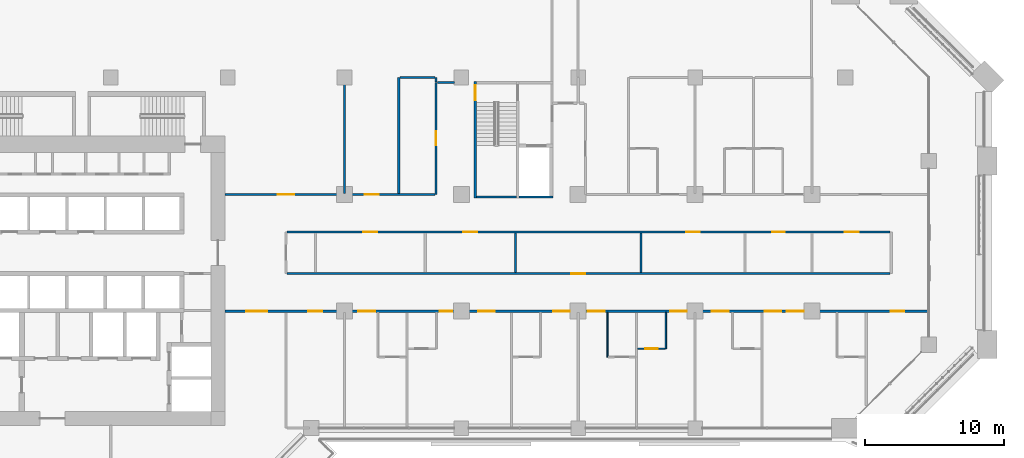
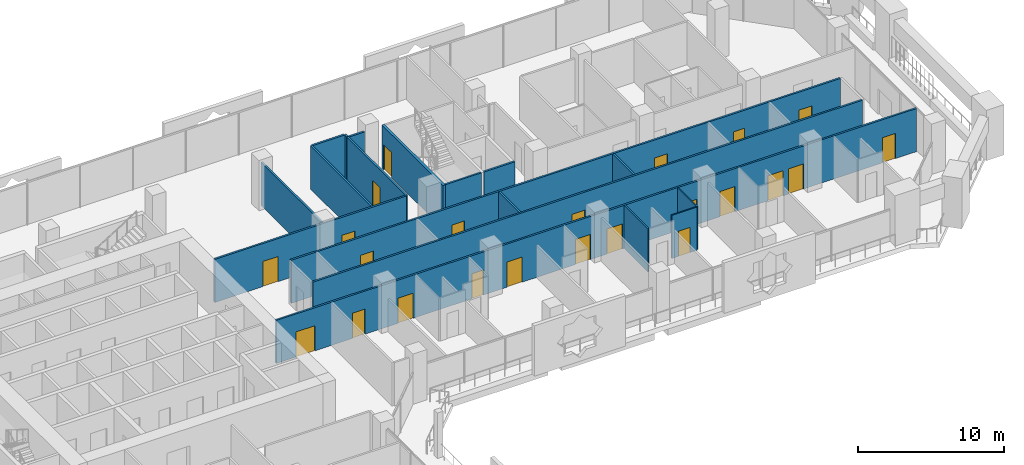
# One storey, part 17 of 25: 23 doors, 18 walls, 23 openings.
"""IFC4 building model written with IfcOpenShell, lengths in metres."""

from ifc_helpers import new_model, si_unit, direction, frame, frame_2d, origin, place, context, subcontext, project, spatial, rectangle, extrude, material, layer, layer_set, type_object, element, fill, save


model = new_model("IFC4")

# Units and contexts
model_context = context("Model", 3, precision=1e-05, world=origin(), true_north=direction((0.0, 1.0)))
body_context = subcontext(model_context, "Body", "Model", "MODEL_VIEW")
ifc_project = project(units=[si_unit("LENGTHUNIT", "METRE"), si_unit("AREAUNIT", "SQUARE_METRE"), si_unit("VOLUMEUNIT", "CUBIC_METRE"), si_unit("PLANEANGLEUNIT", "RADIAN"), si_unit("MASSUNIT", "GRAM", prefix="KILO")], contexts=[model_context])

# Site, building, storey
site_placement = place(None, origin())
site = spatial("IfcSite", under=ifc_project, at=site_placement, CompositionType="ELEMENT")
building_placement = place(site_placement, origin())
building = spatial("IfcBuilding", under=site, at=building_placement, Name="Kawkab Arch Medical Tower", CompositionType="ELEMENT")
storey_placement = place(building_placement, frame((0.0, 0.0, 111.39990234375)))
storey = spatial("IfcBuildingStorey", under=building, at=storey_placement, Name="L25", CompositionType="ELEMENT", Elevation=111.39990234375)

# Wall, opening, door
ifc_material_1 = material(Name="Gypsum board partition on steel studs", Category="steel")
ifc_layer_1 = layer(ifc_material_1, 0.10009765625)
ifc_layer_set_1 = layer_set([ifc_layer_1], Name="Gypsum board partition on steel studs")
wall_type_1 = type_object("IfcWallType", Name="Partition 100", PredefinedType="PARTITIONING", material=ifc_layer_set_1)
wall_1_placement = place(storey_placement, frame((54.675048828125, -19.5, 0.0), z_axis=(0.0, 0.0, 1.0), x_axis=(1.0, 0.0, 0.0)))
wall_1 = element("IfcWall", 1, at=wall_1_placement, inside=storey, type_object=wall_type_1, Name="Partition 100 w011", PredefinedType="PARTITIONING", context=body_context, shape_type="SweptSolid", body=[
    extrude(rectangle(XDim=1.974853515625, YDim=0.10009765625, at=frame_2d((0.9873046875, 0.0))), origin(), (0.0, 0.0, 1.0), 3.60009765625),
])
opening_1_placement = place(wall_1_placement, frame((0.52490234375, 0.0, 0.0)))
opening_1 = element("IfcOpeningElement", 2, at=opening_1_placement, cuts=wall_1, Name="Opening W25-013", PredefinedType="OPENING", context=body_context, shape_type="SweptSolid", body=[
    extrude(rectangle(XDim=0.89990234375, YDim=2.10009765625, at=frame_2d((0.449951171875, 1.050048828125))), frame((0.0, 0.06005859375, 0.0), z_axis=(0.0, -1.0, 0.0), x_axis=(1.0, 0.0, 0.0)), (0.0, 0.0, 1.0), 0.1201171875),
])
ifc_material_2 = material(Name="Timber door leaf", Category="wood")
door_type_1 = type_object("IfcDoorType", Name="Single door 900x2100", OperationType="NOTDEFINED", PredefinedType="DOOR", material=ifc_material_2)
door_1_placement = place(opening_1_placement, origin())
door_1 = element("IfcDoor", 3, at=door_1_placement, inside=storey, type_object=door_type_1, Name="Door W25-013", OperationType="SINGLE_SWING_RIGHT", OverallHeight=2.10009765625, OverallWidth=0.89990234375, PredefinedType="DOOR", context=body_context, shape_type="SweptSolid", body=[
    extrude(rectangle(XDim=0.89990234375, YDim=2.10009765625, at=frame_2d((0.449951171875, 1.050048828125))), frame((0.0, 0.02490234375, 0.0), z_axis=(0.0, -1.0, 0.0), x_axis=(1.0, 0.0, 0.0)), (0.0, 0.0, 1.0), 0.050048828125),
])
fill(opening_1, door_1)

# Walls
wall_2_placement = place(storey_placement, frame((52.5, -20.10009765625, 0.0), z_axis=(0.0, 0.0, 1.0), x_axis=(0.0, 1.0, 0.0)))
element("IfcWall", 4, at=wall_2_placement, inside=storey, type_object=wall_type_1, Name="Partition 100 w021", PredefinedType="PARTITIONING", context=body_context, shape_type="SweptSolid", body=[
    extrude(rectangle(XDim=3.22509765625, YDim=0.10009765625, at=frame_2d((1.612548828125, 0.0))), origin(), (0.0, 0.0, 1.0), 3.60009765625),
])
wall_3_placement = place(storey_placement, frame((56.699951171875, -19.5, 0.0), z_axis=(0.0, 0.0, 1.0), x_axis=(0.0, 1.0, 0.0)))
element("IfcWall", 5, at=wall_3_placement, inside=storey, type_object=wall_type_1, Name="Partition 100 w023", PredefinedType="PARTITIONING", context=body_context, shape_type="SweptSolid", body=[
    extrude(rectangle(XDim=2.625, YDim=0.10009765625, at=frame_2d((1.3125, 0.0))), origin(), (0.0, 0.0, 1.0), 3.60009765625),
])

# Wall, openings, doors
ifc_material_3 = material(Name="Gypsum board partition on steel studs, mineral wool", Category="steel")
ifc_layer_2 = layer(ifc_material_3, 0.14990234375)
ifc_layer_set_2 = layer_set([ifc_layer_2], Name="Gypsum board partition on steel studs, mineral wool")
wall_type_2 = type_object("IfcWallType", Name="Partition 150", PredefinedType="PARTITIONING", material=ifc_layer_set_2)
wall_4_placement = place(storey_placement, frame((25.0, -16.800048828125, 0.0), z_axis=(0.0, 0.0, 1.0), x_axis=(1.0, 0.0, 0.0)))
wall_4 = element("IfcWall", 6, at=wall_4_placement, inside=storey, type_object=wall_type_2, Name="Partition 150 w043", PredefinedType="PARTITIONING", context=body_context, shape_type="SweptSolid", body=[
    extrude(rectangle(XDim=50.52001953125, YDim=0.14990234375, at=frame_2d((25.260009765625, 0.0))), origin(), (0.0, 0.0, 1.0), 3.60009765625),
])
opening_2_placement = place(wall_4_placement, frame((1.550048828125, 0.0, 0.0)))
opening_2 = element("IfcOpeningElement", 7, at=opening_2_placement, cuts=wall_4, Name="Opening W25-001", PredefinedType="OPENING", context=body_context, shape_type="SweptSolid", body=[
    extrude(rectangle(XDim=1.5, YDim=2.10009765625, at=frame_2d((0.75, 1.050048828125))), frame((0.0, 0.0849609375, 0.0), z_axis=(0.0, -1.0, 0.0), x_axis=(1.0, 0.0, 0.0)), (0.0, 0.0, 1.0), 0.169921875),
])
opening_3_placement = place(wall_4_placement, frame((6.0, 0.0, 0.0)))
opening_3 = element("IfcOpeningElement", 8, at=opening_3_placement, cuts=wall_4, Name="Opening W25-031", PredefinedType="OPENING", context=body_context, shape_type="SweptSolid", body=[
    extrude(rectangle(XDim=1.0, YDim=2.10009765625, at=frame_2d((0.5, 1.050048828125))), frame((0.0, 0.0849609375, 0.0), z_axis=(0.0, -1.0, 0.0), x_axis=(1.0, 0.0, 0.0)), (0.0, 0.0, 1.0), 0.169921875),
])
opening_4_placement = place(wall_4_placement, frame((9.60009765625, 0.0, 0.0)))
opening_4 = element("IfcOpeningElement", 9, at=opening_4_placement, cuts=wall_4, Name="Opening W25-043", PredefinedType="OPENING", context=body_context, shape_type="SweptSolid", body=[
    extrude(rectangle(XDim=1.199951171875, YDim=2.10009765625, at=frame_2d((0.60009765625, 1.050048828125))), frame((0.0, 0.0849609375, 0.0), z_axis=(0.0, -1.0, 0.0), x_axis=(1.0, 0.0, 0.0)), (0.0, 0.0, 1.0), 0.169921875),
])
opening_5_placement = place(wall_4_placement, frame((18.199951171875, 0.0, 0.0)))
opening_5 = element("IfcOpeningElement", 10, at=opening_5_placement, cuts=wall_4, Name="Opening W25-044", PredefinedType="OPENING", context=body_context, shape_type="SweptSolid", body=[
    extrude(rectangle(XDim=1.199951171875, YDim=2.10009765625, at=frame_2d((0.60009765625, 1.050048828125))), frame((0.0, 0.0849609375, 0.0), z_axis=(0.0, -1.0, 0.0), x_axis=(1.0, 0.0, 0.0)), (0.0, 0.0, 1.0), 0.169921875),
])
opening_6_placement = place(wall_4_placement, frame((15.449951171875, 0.0, 0.0)))
opening_6 = element("IfcOpeningElement", 11, at=opening_6_placement, cuts=wall_4, Name="Opening W25-021", PredefinedType="OPENING", context=body_context, shape_type="SweptSolid", body=[
    extrude(rectangle(XDim=0.89990234375, YDim=2.10009765625, at=frame_2d((0.449951171875, 1.050048828125))), frame((0.0, 0.0849609375, 0.0), z_axis=(0.0, -1.0, 0.0), x_axis=(1.0, 0.0, 0.0)), (0.0, 0.0, 1.0), 0.169921875),
])
opening_7_placement = place(wall_4_placement, frame((23.60009765625, 0.0, 0.0)))
opening_7 = element("IfcOpeningElement", 12, at=opening_7_placement, cuts=wall_4, Name="Opening W25-045", PredefinedType="OPENING", context=body_context, shape_type="SweptSolid", body=[
    extrude(rectangle(XDim=1.199951171875, YDim=2.10009765625, at=frame_2d((0.60009765625, 1.050048828125))), frame((0.0, 0.0849609375, 0.0), z_axis=(0.0, -1.0, 0.0), x_axis=(1.0, 0.0, 0.0)), (0.0, 0.0, 1.0), 0.169921875),
])
opening_8_placement = place(wall_4_placement, frame((26.10009765625, 0.0, 0.0)))
opening_8 = element("IfcOpeningElement", 13, at=opening_8_placement, cuts=wall_4, Name="Opening W25-046", PredefinedType="OPENING", context=body_context, shape_type="SweptSolid", body=[
    extrude(rectangle(XDim=1.199951171875, YDim=2.10009765625, at=frame_2d((0.60009765625, 1.050048828125))), frame((0.0, 0.0849609375, 0.0), z_axis=(0.0, -1.0, 0.0), x_axis=(1.0, 0.0, 0.0)), (0.0, 0.0, 1.0), 0.169921875),
])
opening_9_placement = place(wall_4_placement, frame((32.0, 0.0, 0.0)))
opening_9 = element("IfcOpeningElement", 14, at=opening_9_placement, cuts=wall_4, Name="Opening W25-047", PredefinedType="OPENING", context=body_context, shape_type="SweptSolid", body=[
    extrude(rectangle(XDim=1.199951171875, YDim=2.10009765625, at=frame_2d((0.60009765625, 1.050048828125))), frame((0.0, 0.0849609375, 0.0), z_axis=(0.0, -1.0, 0.0), x_axis=(1.0, 0.0, 0.0)), (0.0, 0.0, 1.0), 0.169921875),
])
opening_10_placement = place(wall_4_placement, frame((35.0, 0.0, 0.0)))
opening_10 = element("IfcOpeningElement", 15, at=opening_10_placement, cuts=wall_4, Name="Opening W25-048", PredefinedType="OPENING", context=body_context, shape_type="SweptSolid", body=[
    extrude(rectangle(XDim=1.199951171875, YDim=2.10009765625, at=frame_2d((0.60009765625, 1.050048828125))), frame((0.0, 0.0849609375, 0.0), z_axis=(0.0, -1.0, 0.0), x_axis=(1.0, 0.0, 0.0)), (0.0, 0.0, 1.0), 0.169921875),
])
opening_11_placement = place(wall_4_placement, frame((40.39990234375, 0.0, 0.0)))
opening_11 = element("IfcOpeningElement", 16, at=opening_11_placement, cuts=wall_4, Name="Opening W25-049", PredefinedType="OPENING", context=body_context, shape_type="SweptSolid", body=[
    extrude(rectangle(XDim=1.199951171875, YDim=2.10009765625, at=frame_2d((0.60009765625, 1.050048828125))), frame((0.0, 0.0849609375, 0.0), z_axis=(0.0, -1.0, 0.0), x_axis=(1.0, 0.0, 0.0)), (0.0, 0.0, 1.0), 0.169921875),
])
opening_12_placement = place(wall_4_placement, frame((38.800048828125, 0.0, 0.0)))
opening_12 = element("IfcOpeningElement", 17, at=opening_12_placement, cuts=wall_4, Name="Opening W25-050", PredefinedType="OPENING", context=body_context, shape_type="SweptSolid", body=[
    extrude(rectangle(XDim=1.199951171875, YDim=2.10009765625, at=frame_2d((0.60009765625, 1.050048828125))), frame((0.0, 0.0849609375, 0.0), z_axis=(0.0, -1.0, 0.0), x_axis=(1.0, 0.0, 0.0)), (0.0, 0.0, 1.0), 0.169921875),
])
opening_13_placement = place(wall_4_placement, frame((47.85009765625, 0.0, 0.0)))
opening_13 = element("IfcOpeningElement", 18, at=opening_13_placement, cuts=wall_4, Name="Opening W25-032", PredefinedType="OPENING", context=body_context, shape_type="SweptSolid", body=[
    extrude(rectangle(XDim=1.0, YDim=2.10009765625, at=frame_2d((0.5, 1.050048828125))), frame((0.0, 0.0849609375, 0.0), z_axis=(0.0, -1.0, 0.0), x_axis=(1.0, 0.0, 0.0)), (0.0, 0.0, 1.0), 0.169921875),
])
ifc_material_4 = material(Name="Hollow metal door leaf")
door_type_2 = type_object("IfcDoorType", Name="Double door 1500x2100 FD30S", OperationType="NOTDEFINED", PredefinedType="DOOR", material=ifc_material_4)
door_2_placement = place(opening_2_placement, origin())
door_2 = element("IfcDoor", 19, at=door_2_placement, inside=storey, type_object=door_type_2, Name="Door W25-001", OperationType="DOUBLE_DOOR_SINGLE_SWING", OverallHeight=2.10009765625, OverallWidth=1.5, PredefinedType="DOOR", context=body_context, shape_type="SweptSolid", body=[
    extrude(rectangle(XDim=1.5, YDim=2.10009765625, at=frame_2d((0.75, 1.050048828125))), frame((0.0, 0.02490234375, 0.0), z_axis=(0.0, -1.0, 0.0), x_axis=(1.0, 0.0, 0.0)), (0.0, 0.0, 1.0), 0.050048828125),
])
fill(opening_2, door_2)
ifc_material_5 = material(Name="Hollow metal door leaf")
door_type_3 = type_object("IfcDoorType", Name="Single door 1000x2100 FD30S", OperationType="NOTDEFINED", PredefinedType="DOOR", material=ifc_material_5)
door_3_placement = place(opening_3_placement, origin())
door_3 = element("IfcDoor", 20, at=door_3_placement, inside=storey, type_object=door_type_3, Name="Door W25-031", OperationType="SINGLE_SWING_RIGHT", OverallHeight=2.10009765625, OverallWidth=1.0, PredefinedType="DOOR", context=body_context, shape_type="SweptSolid", body=[
    extrude(rectangle(XDim=1.0, YDim=2.10009765625, at=frame_2d((0.5, 1.050048828125))), frame((0.0, 0.02490234375, 0.0), z_axis=(0.0, -1.0, 0.0), x_axis=(1.0, 0.0, 0.0)), (0.0, 0.0, 1.0), 0.050048828125),
])
fill(opening_3, door_3)
door_4_placement = place(opening_13_placement, origin())
door_4 = element("IfcDoor", 21, at=door_4_placement, inside=storey, type_object=door_type_3, Name="Door W25-032", OperationType="SINGLE_SWING_LEFT", OverallHeight=2.10009765625, OverallWidth=1.0, PredefinedType="DOOR", context=body_context, shape_type="SweptSolid", body=[
    extrude(rectangle(XDim=1.0, YDim=2.10009765625, at=frame_2d((0.5, 1.050048828125))), frame((0.0, 0.02490234375, 0.0), z_axis=(0.0, -1.0, 0.0), x_axis=(1.0, 0.0, 0.0)), (0.0, 0.0, 1.0), 0.050048828125),
])
fill(opening_13, door_4)
ifc_material_6 = material(Name="Hollow metal door leaf")
door_type_4 = type_object("IfcDoorType", Name="Single door 1200x2100 FD30S", OperationType="NOTDEFINED", PredefinedType="DOOR", material=ifc_material_6)
door_5_placement = place(opening_4_placement, origin())
door_5 = element("IfcDoor", 22, at=door_5_placement, inside=storey, type_object=door_type_4, Name="Door W25-043", OperationType="SINGLE_SWING_RIGHT", OverallHeight=2.10009765625, OverallWidth=1.199951171875, PredefinedType="DOOR", context=body_context, shape_type="SweptSolid", body=[
    extrude(rectangle(XDim=1.199951171875, YDim=2.10009765625, at=frame_2d((0.60009765625, 1.050048828125))), frame((0.0, 0.02490234375, 0.0), z_axis=(0.0, -1.0, 0.0), x_axis=(1.0, 0.0, 0.0)), (0.0, 0.0, 1.0), 0.050048828125),
])
fill(opening_4, door_5)
door_6_placement = place(opening_5_placement, origin())
door_6 = element("IfcDoor", 23, at=door_6_placement, inside=storey, type_object=door_type_4, Name="Door W25-044", OperationType="SINGLE_SWING_RIGHT", OverallHeight=2.10009765625, OverallWidth=1.199951171875, PredefinedType="DOOR", context=body_context, shape_type="SweptSolid", body=[
    extrude(rectangle(XDim=1.199951171875, YDim=2.10009765625, at=frame_2d((0.60009765625, 1.050048828125))), frame((0.0, 0.02490234375, 0.0), z_axis=(0.0, -1.0, 0.0), x_axis=(1.0, 0.0, 0.0)), (0.0, 0.0, 1.0), 0.050048828125),
])
fill(opening_5, door_6)
door_7_placement = place(opening_7_placement, origin())
door_7 = element("IfcDoor", 24, at=door_7_placement, inside=storey, type_object=door_type_4, Name="Door W25-045", OperationType="SINGLE_SWING_RIGHT", OverallHeight=2.10009765625, OverallWidth=1.199951171875, PredefinedType="DOOR", context=body_context, shape_type="SweptSolid", body=[
    extrude(rectangle(XDim=1.199951171875, YDim=2.10009765625, at=frame_2d((0.60009765625, 1.050048828125))), frame((0.0, 0.02490234375, 0.0), z_axis=(0.0, -1.0, 0.0), x_axis=(1.0, 0.0, 0.0)), (0.0, 0.0, 1.0), 0.050048828125),
])
fill(opening_7, door_7)
door_8_placement = place(opening_8_placement, origin())
door_8 = element("IfcDoor", 25, at=door_8_placement, inside=storey, type_object=door_type_4, Name="Door W25-046", OperationType="SINGLE_SWING_LEFT", OverallHeight=2.10009765625, OverallWidth=1.199951171875, PredefinedType="DOOR", context=body_context, shape_type="SweptSolid", body=[
    extrude(rectangle(XDim=1.199951171875, YDim=2.10009765625, at=frame_2d((0.60009765625, 1.050048828125))), frame((0.0, 0.02490234375, 0.0), z_axis=(0.0, -1.0, 0.0), x_axis=(1.0, 0.0, 0.0)), (0.0, 0.0, 1.0), 0.050048828125),
])
fill(opening_8, door_8)
door_9_placement = place(opening_9_placement, origin())
door_9 = element("IfcDoor", 26, at=door_9_placement, inside=storey, type_object=door_type_4, Name="Door W25-047", OperationType="SINGLE_SWING_LEFT", OverallHeight=2.10009765625, OverallWidth=1.199951171875, PredefinedType="DOOR", context=body_context, shape_type="SweptSolid", body=[
    extrude(rectangle(XDim=1.199951171875, YDim=2.10009765625, at=frame_2d((0.60009765625, 1.050048828125))), frame((0.0, 0.02490234375, 0.0), z_axis=(0.0, -1.0, 0.0), x_axis=(1.0, 0.0, 0.0)), (0.0, 0.0, 1.0), 0.050048828125),
])
fill(opening_9, door_9)
door_10_placement = place(opening_10_placement, origin())
door_10 = element("IfcDoor", 27, at=door_10_placement, inside=storey, type_object=door_type_4, Name="Door W25-048", OperationType="SINGLE_SWING_LEFT", OverallHeight=2.10009765625, OverallWidth=1.199951171875, PredefinedType="DOOR", context=body_context, shape_type="SweptSolid", body=[
    extrude(rectangle(XDim=1.199951171875, YDim=2.10009765625, at=frame_2d((0.60009765625, 1.050048828125))), frame((0.0, 0.02490234375, 0.0), z_axis=(0.0, -1.0, 0.0), x_axis=(1.0, 0.0, 0.0)), (0.0, 0.0, 1.0), 0.050048828125),
])
fill(opening_10, door_10)
door_11_placement = place(opening_11_placement, origin())
door_11 = element("IfcDoor", 28, at=door_11_placement, inside=storey, type_object=door_type_4, Name="Door W25-049", OperationType="SINGLE_SWING_LEFT", OverallHeight=2.10009765625, OverallWidth=1.199951171875, PredefinedType="DOOR", context=body_context, shape_type="SweptSolid", body=[
    extrude(rectangle(XDim=1.199951171875, YDim=2.10009765625, at=frame_2d((0.60009765625, 1.050048828125))), frame((0.0, 0.02490234375, 0.0), z_axis=(0.0, -1.0, 0.0), x_axis=(1.0, 0.0, 0.0)), (0.0, 0.0, 1.0), 0.050048828125),
])
fill(opening_11, door_11)
door_12_placement = place(opening_12_placement, origin())
door_12 = element("IfcDoor", 29, at=door_12_placement, inside=storey, type_object=door_type_4, Name="Door W25-050", OperationType="SINGLE_SWING_LEFT", OverallHeight=2.10009765625, OverallWidth=1.199951171875, PredefinedType="DOOR", context=body_context, shape_type="SweptSolid", body=[
    extrude(rectangle(XDim=1.199951171875, YDim=2.10009765625, at=frame_2d((0.60009765625, 1.050048828125))), frame((0.0, 0.02490234375, 0.0), z_axis=(0.0, -1.0, 0.0), x_axis=(1.0, 0.0, 0.0)), (0.0, 0.0, 1.0), 0.050048828125),
])
fill(opening_12, door_12)
ifc_material_7 = material(Name="Hollow metal door leaf")
door_type_5 = type_object("IfcDoorType", Name="Single door 900x2100 FD30S", OperationType="NOTDEFINED", PredefinedType="DOOR", material=ifc_material_7)
door_13_placement = place(opening_6_placement, origin())
door_13 = element("IfcDoor", 30, at=door_13_placement, inside=storey, type_object=door_type_5, Name="Door W25-021", OperationType="SINGLE_SWING_RIGHT", OverallHeight=2.10009765625, OverallWidth=0.89990234375, PredefinedType="DOOR", context=body_context, shape_type="SweptSolid", body=[
    extrude(rectangle(XDim=0.89990234375, YDim=2.10009765625, at=frame_2d((0.449951171875, 1.050048828125))), frame((0.0, 0.02490234375, 0.0), z_axis=(0.0, -1.0, 0.0), x_axis=(1.0, 0.0, 0.0)), (0.0, 0.0, 1.0), 0.050048828125),
])
fill(opening_6, door_13)

# Wall, opening, door
wall_5_placement = place(storey_placement, frame((29.47509765625, -14.10009765625, 0.0), z_axis=(0.0, 0.0, 1.0), x_axis=(1.0, 0.0, 0.0)))
wall_5 = element("IfcWall", 31, at=wall_5_placement, inside=storey, type_object=wall_type_2, Name="Partition 150 w044", PredefinedType="PARTITIONING", context=body_context, shape_type="SweptSolid", body=[
    extrude(rectangle(XDim=43.349853515625, YDim=0.14990234375, at=frame_2d((21.6748046875, 0.0))), origin(), (0.0, 0.0, 1.0), 3.60009765625),
])
opening_14_placement = place(wall_5_placement, frame((20.425048828125, 0.0, 0.0)))
opening_14 = element("IfcOpeningElement", 32, at=opening_14_placement, cuts=wall_5, Name="Opening W25-028", PredefinedType="OPENING", context=body_context, shape_type="SweptSolid", body=[
    extrude(rectangle(XDim=1.0, YDim=2.10009765625, at=frame_2d((0.5, 1.050048828125))), frame((0.0, 0.0849609375, 0.0), z_axis=(0.0, -1.0, 0.0), x_axis=(1.0, 0.0, 0.0)), (0.0, 0.0, 1.0), 0.169921875),
])
door_14_placement = place(opening_14_placement, origin())
door_14 = element("IfcDoor", 33, at=door_14_placement, inside=storey, type_object=door_type_3, Name="Door W25-028", OperationType="SINGLE_SWING_LEFT", OverallHeight=2.10009765625, OverallWidth=1.0, PredefinedType="DOOR", context=body_context, shape_type="SweptSolid", body=[
    extrude(rectangle(XDim=1.0, YDim=2.10009765625, at=frame_2d((0.5, 1.050048828125))), frame((0.0, 0.02490234375, 0.0), z_axis=(0.0, -1.0, 0.0), x_axis=(1.0, 0.0, 0.0)), (0.0, 0.0, 1.0), 0.050048828125),
])
fill(opening_14, door_14)

# Wall, openings, doors
wall_6_placement = place(storey_placement, frame((29.47509765625, -11.10009765625, 0.0), z_axis=(0.0, 0.0, 1.0), x_axis=(1.0, 0.0, 0.0)))
wall_6 = element("IfcWall", 34, at=wall_6_placement, inside=storey, type_object=wall_type_2, Name="Partition 150 w045", PredefinedType="PARTITIONING", context=body_context, shape_type="SweptSolid", body=[
    extrude(rectangle(XDim=43.349853515625, YDim=0.14990234375, at=frame_2d((21.6748046875, 0.0))), origin(), (0.0, 0.0, 1.0), 3.60009765625),
])
opening_15_placement = place(wall_6_placement, frame((28.675048828125, 0.0, 0.0)))
opening_15 = element("IfcOpeningElement", 35, at=opening_15_placement, cuts=wall_6, Name="Opening W25-029", PredefinedType="OPENING", context=body_context, shape_type="SweptSolid", body=[
    extrude(rectangle(XDim=1.0, YDim=2.10009765625, at=frame_2d((0.5, 1.050048828125))), frame((0.0, 0.0849609375, 0.0), z_axis=(0.0, -1.0, 0.0), x_axis=(1.0, 0.0, 0.0)), (0.0, 0.0, 1.0), 0.169921875),
])
opening_16_placement = place(wall_6_placement, frame((34.875, 0.0, 0.0)))
opening_16 = element("IfcOpeningElement", 36, at=opening_16_placement, cuts=wall_6, Name="Opening W25-008", PredefinedType="OPENING", context=body_context, shape_type="SweptSolid", body=[
    extrude(rectangle(XDim=0.89990234375, YDim=2.10009765625, at=frame_2d((0.449951171875, 1.050048828125))), frame((0.0, 0.0849609375, 0.0), z_axis=(0.0, -1.0, 0.0), x_axis=(1.0, 0.0, 0.0)), (0.0, 0.0, 1.0), 0.169921875),
])
opening_17_placement = place(wall_6_placement, frame((40.074951171875, 0.0, 0.0)))
opening_17 = element("IfcOpeningElement", 37, at=opening_17_placement, cuts=wall_6, Name="Opening W25-030", PredefinedType="OPENING", context=body_context, shape_type="SweptSolid", body=[
    extrude(rectangle(XDim=1.0, YDim=2.10009765625, at=frame_2d((0.5, 1.050048828125))), frame((0.0, 0.0849609375, 0.0), z_axis=(0.0, -1.0, 0.0), x_axis=(1.0, 0.0, 0.0)), (0.0, 0.0, 1.0), 0.169921875),
])
opening_18_placement = place(wall_6_placement, frame((5.47509765625, 0.0, 0.0)))
opening_18 = element("IfcOpeningElement", 38, at=opening_18_placement, cuts=wall_6, Name="Opening W25-037", PredefinedType="OPENING", context=body_context, shape_type="SweptSolid", body=[
    extrude(rectangle(XDim=1.0, YDim=2.10009765625, at=frame_2d((0.5, 1.050048828125))), frame((0.0, 0.0849609375, 0.0), z_axis=(0.0, -1.0, 0.0), x_axis=(1.0, 0.0, 0.0)), (0.0, 0.0, 1.0), 0.169921875),
])
opening_19_placement = place(wall_6_placement, frame((12.675048828125, 0.0, 0.0)))
opening_19 = element("IfcOpeningElement", 39, at=opening_19_placement, cuts=wall_6, Name="Opening W25-038", PredefinedType="OPENING", context=body_context, shape_type="SweptSolid", body=[
    extrude(rectangle(XDim=1.0, YDim=2.10009765625, at=frame_2d((0.5, 1.050048828125))), frame((0.0, 0.0849609375, 0.0), z_axis=(0.0, -1.0, 0.0), x_axis=(1.0, 0.0, 0.0)), (0.0, 0.0, 1.0), 0.169921875),
])
door_15_placement = place(opening_15_placement, origin())
door_15 = element("IfcDoor", 40, at=door_15_placement, inside=storey, type_object=door_type_3, Name="Door W25-029", OperationType="SINGLE_SWING_LEFT", OverallHeight=2.10009765625, OverallWidth=1.0, PredefinedType="DOOR", context=body_context, shape_type="SweptSolid", body=[
    extrude(rectangle(XDim=1.0, YDim=2.10009765625, at=frame_2d((0.5, 1.050048828125))), frame((0.0, 0.02490234375, 0.0), z_axis=(0.0, -1.0, 0.0), x_axis=(1.0, 0.0, 0.0)), (0.0, 0.0, 1.0), 0.050048828125),
])
fill(opening_15, door_15)
door_16_placement = place(opening_17_placement, origin())
door_16 = element("IfcDoor", 41, at=door_16_placement, inside=storey, type_object=door_type_3, Name="Door W25-030", OperationType="SINGLE_SWING_LEFT", OverallHeight=2.10009765625, OverallWidth=1.0, PredefinedType="DOOR", context=body_context, shape_type="SweptSolid", body=[
    extrude(rectangle(XDim=1.0, YDim=2.10009765625, at=frame_2d((0.5, 1.050048828125))), frame((0.0, 0.02490234375, 0.0), z_axis=(0.0, -1.0, 0.0), x_axis=(1.0, 0.0, 0.0)), (0.0, 0.0, 1.0), 0.050048828125),
])
fill(opening_17, door_16)
door_17_placement = place(opening_18_placement, origin())
door_17 = element("IfcDoor", 42, at=door_17_placement, inside=storey, type_object=door_type_3, Name="Door W25-037", OperationType="SINGLE_SWING_RIGHT", OverallHeight=2.10009765625, OverallWidth=1.0, PredefinedType="DOOR", context=body_context, shape_type="SweptSolid", body=[
    extrude(rectangle(XDim=1.0, YDim=2.10009765625, at=frame_2d((0.5, 1.050048828125))), frame((0.0, 0.02490234375, 0.0), z_axis=(0.0, -1.0, 0.0), x_axis=(1.0, 0.0, 0.0)), (0.0, 0.0, 1.0), 0.050048828125),
])
fill(opening_18, door_17)
door_18_placement = place(opening_19_placement, origin())
door_18 = element("IfcDoor", 43, at=door_18_placement, inside=storey, type_object=door_type_3, Name="Door W25-038", OperationType="SINGLE_SWING_RIGHT", OverallHeight=2.10009765625, OverallWidth=1.0, PredefinedType="DOOR", context=body_context, shape_type="SweptSolid", body=[
    extrude(rectangle(XDim=1.0, YDim=2.10009765625, at=frame_2d((0.5, 1.050048828125))), frame((0.0, 0.02490234375, 0.0), z_axis=(0.0, -1.0, 0.0), x_axis=(1.0, 0.0, 0.0)), (0.0, 0.0, 1.0), 0.050048828125),
])
fill(opening_19, door_18)
door_19_placement = place(opening_16_placement, origin())
door_19 = element("IfcDoor", 44, at=door_19_placement, inside=storey, type_object=door_type_1, Name="Door W25-008", OperationType="SINGLE_SWING_LEFT", OverallHeight=2.10009765625, OverallWidth=0.89990234375, PredefinedType="DOOR", context=body_context, shape_type="SweptSolid", body=[
    extrude(rectangle(XDim=0.89990234375, YDim=2.10009765625, at=frame_2d((0.449951171875, 1.050048828125))), frame((0.0, 0.02490234375, 0.0), z_axis=(0.0, -1.0, 0.0), x_axis=(1.0, 0.0, 0.0)), (0.0, 0.0, 1.0), 0.050048828125),
])
fill(opening_16, door_19)

wall_7_placement = place(storey_placement, frame((25.0, -8.39990234375, 0.0), z_axis=(0.0, 0.0, 1.0), x_axis=(1.0, 0.0, 0.0)))
wall_7 = element("IfcWall", 45, at=wall_7_placement, inside=storey, type_object=wall_type_2, Name="Partition 150 w046", PredefinedType="PARTITIONING", context=body_context, shape_type="SweptSolid", body=[
    extrude(rectangle(XDim=15.10693359375, YDim=0.14990234375, at=frame_2d((7.553466796875, 0.0))), origin(), (0.0, 0.0, 1.0), 3.60009765625),
])
opening_20_placement = place(wall_7_placement, frame((3.800048828125, 0.0, 0.0)))
opening_20 = element("IfcOpeningElement", 46, at=opening_20_placement, cuts=wall_7, Name="Opening W25-039", PredefinedType="OPENING", context=body_context, shape_type="SweptSolid", body=[
    extrude(rectangle(XDim=1.199951171875, YDim=2.10009765625, at=frame_2d((0.60009765625, 1.050048828125))), frame((0.0, 0.0849609375, 0.0), z_axis=(0.0, -1.0, 0.0), x_axis=(1.0, 0.0, 0.0)), (0.0, 0.0, 1.0), 0.169921875),
])
opening_21_placement = place(wall_7_placement, frame((10.050048828125, 0.0, 0.0)))
opening_21 = element("IfcOpeningElement", 47, at=opening_21_placement, cuts=wall_7, Name="Opening W25-024", PredefinedType="OPENING", context=body_context, shape_type="SweptSolid", body=[
    extrude(rectangle(XDim=1.0, YDim=2.10009765625, at=frame_2d((0.5, 1.050048828125))), frame((0.0, 0.0849609375, 0.0), z_axis=(0.0, -1.0, 0.0), x_axis=(1.0, 0.0, 0.0)), (0.0, 0.0, 1.0), 0.169921875),
])
door_20_placement = place(opening_21_placement, origin())
door_20 = element("IfcDoor", 48, at=door_20_placement, inside=storey, type_object=door_type_3, Name="Door W25-024", OperationType="SINGLE_SWING_RIGHT", OverallHeight=2.10009765625, OverallWidth=1.0, PredefinedType="DOOR", context=body_context, shape_type="SweptSolid", body=[
    extrude(rectangle(XDim=1.0, YDim=2.10009765625, at=frame_2d((0.5, 1.050048828125))), frame((0.0, 0.02490234375, 0.0), z_axis=(0.0, -1.0, 0.0), x_axis=(1.0, 0.0, 0.0)), (0.0, 0.0, 1.0), 0.050048828125),
])
fill(opening_21, door_20)
door_21_placement = place(opening_20_placement, origin())
door_21 = element("IfcDoor", 49, at=door_21_placement, inside=storey, type_object=door_type_4, Name="Door W25-039", OperationType="SINGLE_SWING_LEFT", OverallHeight=2.10009765625, OverallWidth=1.199951171875, PredefinedType="DOOR", context=body_context, shape_type="SweptSolid", body=[
    extrude(rectangle(XDim=1.199951171875, YDim=2.10009765625, at=frame_2d((0.60009765625, 1.050048828125))), frame((0.0, 0.02490234375, 0.0), z_axis=(0.0, -1.0, 0.0), x_axis=(1.0, 0.0, 0.0)), (0.0, 0.0, 1.0), 0.050048828125),
])
fill(opening_20, door_21)

# Walls
wall_8_placement = place(storey_placement, frame((40.277099609375, -0.35009765625, 0.0), z_axis=(0.0, 0.0, 1.0), x_axis=(1.0, 0.0, 0.0)))
element("IfcWall", 50, at=wall_8_placement, inside=storey, type_object=wall_type_2, Name="Partition 150 w050", PredefinedType="PARTITIONING", context=body_context, shape_type="SweptSolid", body=[
    extrude(rectangle(XDim=1.2109375, YDim=0.14990234375, at=frame_2d((0.60546875, 0.0))), origin(), (0.0, 0.0, 1.0), 3.60009765625),
])
wall_9_placement = place(storey_placement, frame((37.577880859375, 0.0, 0.0), z_axis=(0.0, 0.0, 1.0), x_axis=(1.0, 0.0, 0.0)))
element("IfcWall", 51, at=wall_9_placement, inside=storey, type_object=wall_type_2, Name="Partition 150 w051", PredefinedType="PARTITIONING", context=body_context, shape_type="SweptSolid", body=[
    extrude(rectangle(XDim=2.527099609375, YDim=0.14990234375, at=frame_2d((1.263671875, 0.0))), origin(), (0.0, 0.0, 1.0), 3.60009765625),
])
for number, where, z_axis, x_axis, name in (
    (52, (33.60009765625, -8.324951171875, 0.0), (0.0, 0.0, 1.0), (0.0, 1.0, 0.0), "Partition 150 w066"),
    (53, (37.5, -8.324951171875, 0.0), (0.0, 0.0, 1.0), (0.0, 1.0, 0.0), "Partition 150 w067"),
):
    element("IfcWall", number, at=place(storey_placement, frame(where, z_axis=z_axis, x_axis=x_axis)), inside=storey, type_object=wall_type_2, Name=name, PredefinedType="PARTITIONING", context=body_context, shape_type="SweptSolid", body=[
        extrude(rectangle(XDim=8.322021484375, YDim=0.14990234375, at=frame_2d((4.1611328125, 0.0))), origin(), (0.0, 0.0, 1.0), 3.60009765625),
    ])

# Wall, opening, door
wall_10_placement = place(storey_placement, frame((40.181884765625, -8.39990234375, 0.0), z_axis=(0.0, 0.0, 1.0), x_axis=(0.0, 1.0, 0.0)))
wall_10 = element("IfcWall", 54, at=wall_10_placement, inside=storey, type_object=wall_type_2, Name="Partition 150 w070", PredefinedType="PARTITIONING", context=body_context, shape_type="SweptSolid", body=[
    extrude(rectangle(XDim=8.0498046875, YDim=0.14990234375, at=frame_2d((4.02490234375, 0.0))), origin(), (0.0, 0.0, 1.0), 3.60009765625),
])
opening_22_placement = place(wall_10_placement, frame((3.52490234375, 0.0, 0.0)))
opening_22 = element("IfcOpeningElement", 55, at=opening_22_placement, cuts=wall_10, Name="Opening W25-025", PredefinedType="OPENING", context=body_context, shape_type="SweptSolid", body=[
    extrude(rectangle(XDim=1.0, YDim=2.10009765625, at=frame_2d((0.5, 1.050048828125))), frame((0.0, 0.0849609375, 0.0), z_axis=(0.0, -1.0, 0.0), x_axis=(1.0, 0.0, 0.0)), (0.0, 0.0, 1.0), 0.169921875),
])
door_22_placement = place(opening_22_placement, origin())
door_22 = element("IfcDoor", 56, at=door_22_placement, inside=storey, type_object=door_type_3, Name="Door W25-025", OperationType="SINGLE_SWING_RIGHT", OverallHeight=2.10009765625, OverallWidth=1.0, PredefinedType="DOOR", context=body_context, shape_type="SweptSolid", body=[
    extrude(rectangle(XDim=1.0, YDim=2.10009765625, at=frame_2d((0.5, 1.050048828125))), frame((0.0, 0.02490234375, 0.0), z_axis=(0.0, -1.0, 0.0), x_axis=(1.0, 0.0, 0.0)), (0.0, 0.0, 1.0), 0.050048828125),
])
fill(opening_22, door_22)

# Walls
wall_11_placement = place(storey_placement, frame((40.181884765625, -0.330078125, 0.0), z_axis=(0.0, 0.0, 1.0), x_axis=(0.0, 1.0, 0.0)))
element("IfcWall", 57, at=wall_11_placement, inside=storey, type_object=wall_type_2, Name="Partition 150 w071", PredefinedType="PARTITIONING", context=body_context, shape_type="SweptSolid", body=[
    extrude(rectangle(XDim=0.328125, YDim=0.14990234375, at=frame_2d((0.1640625, 0.0))), origin(), (0.0, 0.0, 1.0), 3.60009765625),
])
for number, where, z_axis, x_axis, name in (
    (58, (45.89990234375, -14.02490234375, 0.0), (0.0, 0.0, 1.0), (0.0, 1.0, 0.0), "Partition 150 w073"),
    (59, (54.89990234375, -14.02490234375, 0.0), (0.0, 0.0, 1.0), (0.0, 1.0, 0.0), "Partition 150 w081"),
):
    element("IfcWall", number, at=place(storey_placement, frame(where, z_axis=z_axis, x_axis=x_axis)), inside=storey, type_object=wall_type_2, Name=name, PredefinedType="PARTITIONING", context=body_context, shape_type="SweptSolid", body=[
        extrude(rectangle(XDim=2.849853515625, YDim=0.14990234375, at=frame_2d((1.4248046875, 0.0))), origin(), (0.0, 0.0, 1.0), 3.60009765625),
    ])
ifc_material_8 = material(Name="Concrete C50/60", Category="concrete")
ifc_layer_3 = layer(ifc_material_8, 0.14990234375)
ifc_layer_set_3 = layer_set([ifc_layer_3], Name="Concrete C50/60")
wall_type_3 = type_object("IfcWallType", Name="Stair enclosure wall 150 C50/60", PredefinedType="SHEAR", material=ifc_layer_set_3)
wall_12_placement = place(storey_placement, frame((43.10009765625, -8.574951171875, 0.0), z_axis=(0.0, 0.0, 1.0), x_axis=(1.0, 0.0, 0.0)))
element("IfcWall", 60, at=wall_12_placement, inside=storey, type_object=wall_type_3, Name="L25 stair enclosure wall", PredefinedType="SHEAR", context=body_context, shape_type="SweptSolid", body=[
    extrude(rectangle(XDim=2.849853515625, YDim=0.14990234375, at=frame_2d((1.4248046875, 0.0))), origin(), (0.0, 0.0, 1.0), 3.60009765625),
])
wall_13_placement = place(storey_placement, frame((46.14990234375, -8.574951171875, 0.0), z_axis=(0.0, 0.0, 1.0), x_axis=(1.0, 0.0, 0.0)))
element("IfcWall", 61, at=wall_13_placement, inside=storey, type_object=wall_type_3, Name="L25 stair enclosure wall", PredefinedType="SHEAR", context=body_context, shape_type="SweptSolid", body=[
    extrude(rectangle(XDim=2.4501953125, YDim=0.14990234375, at=frame_2d((1.22509765625, 0.0))), origin(), (0.0, 0.0, 1.0), 3.60009765625),
])

# Wall, opening, door
ifc_material_9 = material(Name="Concrete C50/60", Category="concrete")
ifc_layer_4 = layer(ifc_material_9, 0.199951171875)
ifc_layer_set_4 = layer_set([ifc_layer_4], Name="Concrete C50/60")
wall_type_4 = type_object("IfcWallType", Name="Stair enclosure wall 200 C50/60", PredefinedType="SHEAR", material=ifc_layer_set_4)
wall_14_placement = place(storey_placement, frame((43.0, -8.64990234375, 0.0), z_axis=(0.0, 0.0, 1.0), x_axis=(0.0, 1.0, 0.0)))
wall_14 = element("IfcWall", 62, at=wall_14_placement, inside=storey, type_object=wall_type_4, Name="L25 stair enclosure wall", PredefinedType="SHEAR", context=body_context, shape_type="SweptSolid", body=[
    extrude(rectangle(XDim=8.349853515625, YDim=0.199951171875, at=frame_2d((4.1748046875, 0.0))), origin(), (0.0, 0.0, 1.0), 3.60009765625),
])
opening_23_placement = place(wall_14_placement, frame((7.0, 0.0, 0.0)))
opening_23 = element("IfcOpeningElement", 63, at=opening_23_placement, cuts=wall_14, Name="Opening SD", PredefinedType="OPENING", context=body_context, shape_type="SweptSolid", body=[
    extrude(rectangle(XDim=1.10009765625, YDim=2.10009765625, at=frame_2d((0.550048828125, 1.050048828125))), frame((0.0, 0.10986328125, 0.0), z_axis=(0.0, -1.0, 0.0), x_axis=(1.0, 0.0, 0.0)), (0.0, 0.0, 1.0), 0.219970703125),
])
ifc_material_10 = material(Name="Hollow metal fire door leaf")
door_type_6 = type_object("IfcDoorType", Name="Exit stair door 1100", OperationType="SINGLE_SWING_LEFT", PredefinedType="DOOR", material=ifc_material_10)
door_23_placement = place(opening_23_placement, frame((1.10009765625, 0.0, 0.0), z_axis=(0.0, 0.0, 1.0), x_axis=(-1.0, 0.0, 0.0)))
door_23 = element("IfcDoor", 64, at=door_23_placement, inside=storey, type_object=door_type_6, Name="L25 Exit stair ST5 door", OperationType="SINGLE_SWING_LEFT", OverallHeight=2.10009765625, OverallWidth=1.10009765625, PredefinedType="DOOR", context=body_context, shape_type="SweptSolid", body=[
    extrude(rectangle(XDim=1.10009765625, YDim=2.10009765625, at=frame_2d((0.550048828125, 1.050048828125))), frame((0.0, 0.02490234375, 0.0), z_axis=(0.0, -1.0, 0.0), x_axis=(1.0, 0.0, 0.0)), (0.0, 0.0, 1.0), 0.050048828125),
])
fill(opening_23, door_23)

save(model, "model.ifc")
